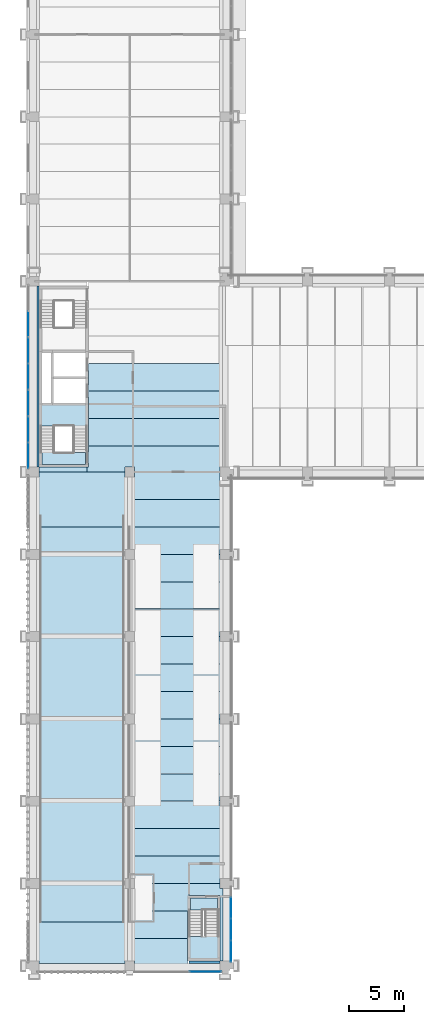
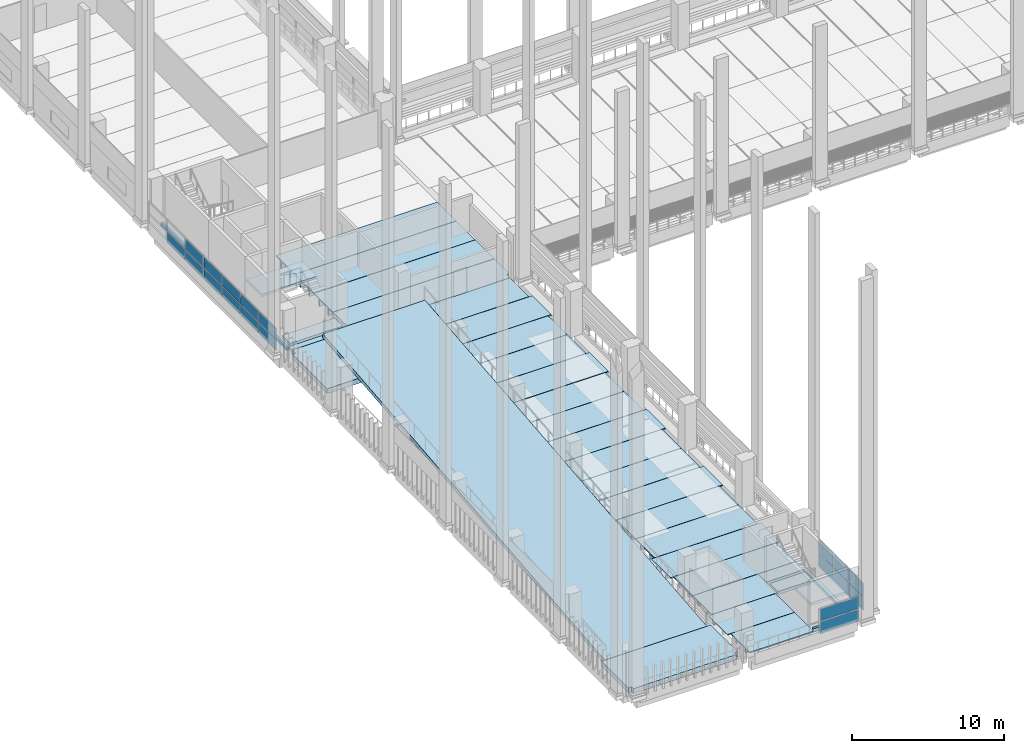
# One storey, part 27 of 67: 33 slabs, 19 plates, 5 elements without a shape of their own.
"""IFC4 building model written with IfcOpenShell, lengths in metres."""

from ifc_helpers import new_model, si_unit, direction, frame, origin, origin_2d, place, context, subcontext, project, spatial, polyline, rectangle, outline, extrude, material, layer, layer_set, material_profile, profile_set, type_object, element, aggregate, save


model = new_model("IFC4")

# Units and contexts
model_context = context("Model", 3, precision=1e-05, world=origin(), true_north=direction((0.0, 1.0)))
body_context = subcontext(model_context, "Body", "Model", "MODEL_VIEW")
ifc_project = project(units=[si_unit("LENGTHUNIT", "METRE"), si_unit("AREAUNIT", "SQUARE_METRE"), si_unit("VOLUMEUNIT", "CUBIC_METRE"), si_unit("PLANEANGLEUNIT", "RADIAN"), si_unit("MASSUNIT", "GRAM", prefix="KILO")], contexts=[model_context])

# Site, building, storey
site_placement = place(None, origin())
site = spatial("IfcSite", under=ifc_project, at=site_placement, CompositionType="ELEMENT")
building_placement = place(site_placement, origin())
building = spatial("IfcBuilding", under=site, at=building_placement, Name="Cour d'Honneur Mobility Palace", CompositionType="ELEMENT")
storey_placement = place(building_placement, frame((0.0, 0.0, 4.5)))
storey = spatial("IfcBuildingStorey", under=building, at=storey_placement, Name="L01", CompositionType="ELEMENT", Elevation=4.5)

# Slabs
ifc_material_1 = material(Name="Concrete C50", Category="concrete")
ifc_layer_1 = layer(ifc_material_1, 0.25)
ifc_layer_set_1 = layer_set([ifc_layer_1], Name="Concrete C50")
slab_type_1 = type_object("IfcSlabType", Name="Cast-in-place Slab 250", PredefinedType="FLOOR", material=ifc_layer_set_1)
slab_1_placement = place(storey_placement, frame((0.0, 0.0, -0.25)))
element("IfcSlab", 1, at=slab_1_placement, inside=storey, type_object=slab_type_1, Name="Cast-in-place slab S1 L01 core", PredefinedType="FLOOR", context=body_context, shape_type="SweptSolid", body=[
    extrude(outline(polyline([(0.449951171875, 45.449951171875), (4.800048828125, 45.449951171875), (4.800048828125, 45.0), (0.449951171875, 45.0), (0.449951171875, 45.449951171875)])), origin(), (0.0, 0.0, 1.0), 0.25),
])
slab_2_placement = place(storey_placement, frame((0.0, 0.0, -0.25)))
element("IfcSlab", 2, at=slab_2_placement, inside=storey, type_object=slab_type_1, Name="Cast-in-place slab S1 L01 core", PredefinedType="FLOOR", context=body_context, shape_type="SweptSolid", body=[
    extrude(outline(polyline([(0.449951171875, 61.949951171875), (0.449951171875, 45.449951171875), (0.25, 45.449951171875), (0.25, 61.949951171875), (0.449951171875, 61.949951171875)])), origin(), (0.0, 0.0, 1.0), 0.25),
])
slab_3_placement = place(storey_placement, frame((0.0, 0.0, -0.25)))
element("IfcSlab", 3, at=slab_3_placement, inside=storey, type_object=slab_type_1, Name="Cast-in-place slab S1 L01 core", PredefinedType="FLOOR", context=body_context, shape_type="SweptSolid", body=[
    extrude(outline(polyline([(0.699951171875, 45.699951171875), (0.699951171875, 46.77490234375), (4.675048828125, 46.77490234375), (4.675048828125, 45.699951171875), (0.699951171875, 45.699951171875)])), origin(), (0.0, 0.0, 1.0), 0.25),
])
slab_4_placement = place(storey_placement, frame((0.0, 0.0, -0.25)))
element("IfcSlab", 4, at=slab_4_placement, inside=storey, type_object=slab_type_1, Name="Cast-in-place slab S1 L01 stair strip", PredefinedType="FLOOR", context=body_context, shape_type="SweptSolid", body=[
    extrude(outline(polyline([(16.949951171875, 7.050048828125), (17.199951171875, 7.050048828125), (17.199951171875, 0.449951171875), (16.949951171875, 0.449951171875), (16.949951171875, 6.425048828125), (14.10009765625, 6.425048828125), (14.10009765625, 7.5), (16.949951171875, 7.5), (16.949951171875, 7.050048828125)])), origin(), (0.0, 0.0, 1.0), 0.25),
])
slab_5_placement = place(storey_placement, frame((0.0, 0.0, -0.25)))
element("IfcSlab", 5, at=slab_5_placement, inside=storey, type_object=slab_type_1, Name="Cast-in-place slab S1 L01 stair strip", PredefinedType="FLOOR", context=body_context, shape_type="SweptSolid", body=[
    extrude(outline(polyline([(16.949951171875, 0.22509765625), (14.10009765625, 0.22509765625), (14.10009765625, 0.449951171875), (16.949951171875, 0.449951171875), (16.949951171875, 0.22509765625)])), origin(), (0.0, 0.0, 1.0), 0.25),
])
slab_6_placement = place(storey_placement, frame((0.0, 0.0, -0.25)))
element("IfcSlab", 6, at=slab_6_placement, inside=storey, type_object=slab_type_1, Name="Cast-in-place slab S1 L01 stair strip", PredefinedType="FLOOR", context=body_context, shape_type="SweptSolid", body=[
    extrude(outline(polyline([(14.22509765625, 5.10009765625), (14.22509765625, 6.175048828125), (16.699951171875, 6.175048828125), (16.699951171875, 5.10009765625), (14.22509765625, 5.10009765625)])), origin(), (0.0, 0.0, 1.0), 0.25),
])
ifc_material_2 = material(Name="Concrete C50", Category="concrete")
ifc_layer_2 = layer(ifc_material_2, 0.39990234375)
ifc_layer_set_2 = layer_set([ifc_layer_2], Name="Concrete C50")
slab_type_2 = type_object("IfcSlabType", Name="Cast-in-place Slab 400", PredefinedType="LANDING", material=ifc_layer_set_2)
slab_7_placement = place(storey_placement, frame((0.0, 0.0, -0.39990234375)))
element("IfcSlab", 7, at=slab_7_placement, inside=storey, type_object=slab_type_2, Name="Cast-in-place slab S3 L01 landing", PredefinedType="LANDING", context=body_context, shape_type="SweptSolid", body=[
    extrude(outline(polyline([(8.25, 0.449951171875), (8.25, 0.22509765625), (0.449951171875, 0.22509765625), (0.449951171875, 0.449951171875), (0.199951171875, 0.449951171875), (0.199951171875, 4.0), (8.5, 4.0), (8.5, 0.449951171875), (8.25, 0.449951171875)])), origin(), (0.0, 0.0, 1.0), 0.39990234375),
])
slab_8_placement = place(storey_placement, frame((0.0, 0.0, -0.39990234375)))
element("IfcSlab", 8, at=slab_8_placement, inside=storey, type_object=slab_type_2, Name="Cast-in-place slab S3 L01 landing", PredefinedType="LANDING", context=body_context, shape_type="SweptSolid", body=[
    extrude(outline(polyline([(8.5, 44.550048828125), (8.5, 40.0), (0.199951171875, 40.0), (0.199951171875, 44.550048828125), (0.449951171875, 44.550048828125), (0.449951171875, 45.0), (8.25, 45.0), (8.25, 44.550048828125), (8.5, 44.550048828125)])), origin(), (0.0, 0.0, 1.0), 0.39990234375),
])
ifc_material_3 = material(Name="Concrete C50", Category="concrete")
ifc_layer_3 = layer(ifc_material_3, 0.800048828125)
ifc_layer_set_3 = layer_set([ifc_layer_3], Name="Concrete C50")
slab_type_3 = type_object("IfcSlabType", Name="Cast-in-place Slab 800", PredefinedType="FLOOR", material=ifc_layer_set_3)
slab_9_placement = place(storey_placement, frame((0.0, 0.0, -0.800048828125)))
element("IfcSlab", 9, at=slab_9_placement, inside=storey, type_object=slab_type_3, Name="Cast-in-place slab S2 L01 closure", PredefinedType="FLOOR", context=body_context, shape_type="SweptSolid", body=[
    extrude(outline(polyline([(16.949951171875, 45.449951171875), (16.949951171875, 45.0), (9.14990234375, 45.0), (9.14990234375, 45.449951171875), (8.25, 45.449951171875), (8.25, 45.0), (4.800048828125, 45.0), (4.800048828125, 45.449951171875), (4.925048828125, 45.449951171875), (4.925048828125, 47.39990234375), (17.14990234375, 47.39990234375), (17.14990234375, 45.449951171875), (16.949951171875, 45.449951171875)])), origin(), (0.0, 0.0, 1.0), 0.800048828125),
])

# Curtain wall, plates
ifc_material_4 = material(Name="Aluminium and glass", Category="aluminium")
ifc_layer_4 = layer(ifc_material_4, 0.10009765625)
ifc_layer_set_4 = layer_set([ifc_layer_4], Name="Aluminium and glass")
curtain_wall_type = type_object("IfcCurtainWallType", Name="Curtain wall run", PredefinedType="NOTDEFINED", material=ifc_layer_set_4)
curtain_wall_1_placement = place(storey_placement, origin())
curtain_wall_1 = element("IfcCurtainWall", 10, at=curtain_wall_1_placement, inside=storey, type_object=curtain_wall_type, Name="Curtain wall CW-100", PredefinedType="NOTDEFINED")
ifc_material_5 = material(Name="Double glazing", Category="glass")
ifc_layer_5 = layer(ifc_material_5, 0.028076171875)
ifc_layer_set_5 = layer_set([ifc_layer_5], Name="Double glazing")
plate_type = type_object("IfcPlateType", Name="Curtain wall panel", PredefinedType="CURTAIN_PANEL", material=ifc_layer_set_5)
plate_1_placement = place(storey_placement, frame((-0.550048828125, 58.5, 0.06005859375), z_axis=(0.0, 0.0, 1.0), x_axis=(0.0, -1.0, 0.0)))
plate_1 = element("IfcPlate", 11, at=plate_1_placement, type_object=plate_type, Name="CW-100 panel 2.1", PredefinedType="CURTAIN_PANEL", context=body_context, shape_type="SweptSolid", body=[
    extrude(rectangle(XDim=2.340087890625, YDim=0.028076171875, at=origin_2d()), origin(), (0.0, 0.0, 1.0), 0.860107421875),
])
plate_2_placement = place(storey_placement, frame((-0.550048828125, 56.10009765625, 0.06005859375), z_axis=(0.0, 0.0, 1.0), x_axis=(0.0, -1.0, 0.0)))
plate_2 = element("IfcPlate", 12, at=plate_2_placement, type_object=plate_type, Name="CW-100 panel 3.1", PredefinedType="CURTAIN_PANEL", context=body_context, shape_type="SweptSolid", body=[
    extrude(rectangle(XDim=2.340087890625, YDim=0.028076171875, at=origin_2d()), origin(), (0.0, 0.0, 1.0), 0.860107421875),
])
plate_3_placement = place(storey_placement, frame((-0.550048828125, 56.10009765625, 0.97998046875), z_axis=(0.0, 0.0, 1.0), x_axis=(0.0, -1.0, 0.0)))
plate_3 = element("IfcPlate", 13, at=plate_3_placement, type_object=plate_type, Name="CW-100 panel 3.2", PredefinedType="CURTAIN_PANEL", context=body_context, shape_type="SweptSolid", body=[
    extrude(rectangle(XDim=2.340087890625, YDim=0.028076171875, at=origin_2d()), origin(), (0.0, 0.0, 1.0), 0.860107421875),
])
plate_4_placement = place(storey_placement, frame((-0.550048828125, 53.699951171875, 0.06005859375), z_axis=(0.0, 0.0, 1.0), x_axis=(0.0, -1.0, 0.0)))
plate_4 = element("IfcPlate", 14, at=plate_4_placement, type_object=plate_type, Name="CW-100 panel 4.1", PredefinedType="CURTAIN_PANEL", context=body_context, shape_type="SweptSolid", body=[
    extrude(rectangle(XDim=2.340087890625, YDim=0.028076171875, at=origin_2d()), origin(), (0.0, 0.0, 1.0), 0.860107421875),
])
plate_5_placement = place(storey_placement, frame((-0.550048828125, 53.699951171875, 0.97998046875), z_axis=(0.0, 0.0, 1.0), x_axis=(0.0, -1.0, 0.0)))
plate_5 = element("IfcPlate", 15, at=plate_5_placement, type_object=plate_type, Name="CW-100 panel 4.2", PredefinedType="CURTAIN_PANEL", context=body_context, shape_type="SweptSolid", body=[
    extrude(rectangle(XDim=2.340087890625, YDim=0.028076171875, at=origin_2d()), origin(), (0.0, 0.0, 1.0), 0.860107421875),
])
plate_6_placement = place(storey_placement, frame((-0.550048828125, 51.300048828125, 0.06005859375), z_axis=(0.0, 0.0, 1.0), x_axis=(0.0, -1.0, 0.0)))
plate_6 = element("IfcPlate", 16, at=plate_6_placement, type_object=plate_type, Name="CW-100 panel 5.1", PredefinedType="CURTAIN_PANEL", context=body_context, shape_type="SweptSolid", body=[
    extrude(rectangle(XDim=2.340087890625, YDim=0.028076171875, at=origin_2d()), origin(), (0.0, 0.0, 1.0), 0.860107421875),
])
plate_7_placement = place(storey_placement, frame((-0.550048828125, 51.300048828125, 0.97998046875), z_axis=(0.0, 0.0, 1.0), x_axis=(0.0, -1.0, 0.0)))
plate_7 = element("IfcPlate", 17, at=plate_7_placement, type_object=plate_type, Name="CW-100 panel 5.2", PredefinedType="CURTAIN_PANEL", context=body_context, shape_type="SweptSolid", body=[
    extrude(rectangle(XDim=2.340087890625, YDim=0.028076171875, at=origin_2d()), origin(), (0.0, 0.0, 1.0), 0.860107421875),
])
plate_8_placement = place(storey_placement, frame((-0.550048828125, 48.89990234375, 0.06005859375), z_axis=(0.0, 0.0, 1.0), x_axis=(0.0, -1.0, 0.0)))
plate_8 = element("IfcPlate", 18, at=plate_8_placement, type_object=plate_type, Name="CW-100 panel 6.1", PredefinedType="CURTAIN_PANEL", context=body_context, shape_type="SweptSolid", body=[
    extrude(rectangle(XDim=2.340087890625, YDim=0.028076171875, at=origin_2d()), origin(), (0.0, 0.0, 1.0), 0.860107421875),
])
plate_9_placement = place(storey_placement, frame((-0.550048828125, 48.89990234375, 0.97998046875), z_axis=(0.0, 0.0, 1.0), x_axis=(0.0, -1.0, 0.0)))
plate_9 = element("IfcPlate", 19, at=plate_9_placement, type_object=plate_type, Name="CW-100 panel 6.2", PredefinedType="CURTAIN_PANEL", context=body_context, shape_type="SweptSolid", body=[
    extrude(rectangle(XDim=2.340087890625, YDim=0.028076171875, at=origin_2d()), origin(), (0.0, 0.0, 1.0), 0.860107421875),
])
plate_10_placement = place(storey_placement, frame((-0.550048828125, 46.514892578125, 0.06005859375), z_axis=(0.0, 0.0, 1.0), x_axis=(0.0, -1.0, 0.0)))
plate_10 = element("IfcPlate", 20, at=plate_10_placement, type_object=plate_type, Name="CW-100 panel 7.1", PredefinedType="CURTAIN_PANEL", context=body_context, shape_type="SweptSolid", body=[
    extrude(rectangle(XDim=2.31005859375, YDim=0.028076171875, at=origin_2d()), origin(), (0.0, 0.0, 1.0), 0.860107421875),
])
plate_11_placement = place(storey_placement, frame((-0.550048828125, 46.514892578125, 0.97998046875), z_axis=(0.0, 0.0, 1.0), x_axis=(0.0, -1.0, 0.0)))
plate_11 = element("IfcPlate", 21, at=plate_11_placement, type_object=plate_type, Name="CW-100 panel 7.2", PredefinedType="CURTAIN_PANEL", context=body_context, shape_type="SweptSolid", body=[
    extrude(rectangle(XDim=2.31005859375, YDim=0.028076171875, at=origin_2d()), origin(), (0.0, 0.0, 1.0), 0.860107421875),
])
aggregate(curtain_wall_1, [plate_1, plate_2, plate_3, plate_4, plate_5, plate_6, plate_7, plate_8, plate_9, plate_10, plate_11])

curtain_wall_2_placement = place(storey_placement, origin())
curtain_wall_2 = element("IfcCurtainWall", 22, at=curtain_wall_2_placement, inside=storey, type_object=curtain_wall_type, Name="Curtain wall CW-153", PredefinedType="NOTDEFINED")
plate_12_placement = place(storey_placement, frame((15.60009765625, -0.550048828125, 0.06005859375), z_axis=(0.0, 0.0, 1.0), x_axis=(1.0, 0.0, 0.0)))
plate_12 = element("IfcPlate", 23, at=plate_12_placement, type_object=plate_type, Name="CW-153 panel 1.1", PredefinedType="CURTAIN_PANEL", context=body_context, shape_type="SweptSolid", body=[
    extrude(rectangle(XDim=2.8798828125, YDim=0.028076171875, at=origin_2d()), origin(), (0.0, 0.0, 1.0), 0.9599609375),
])
plate_13_placement = place(storey_placement, frame((15.60009765625, -0.550048828125, 1.080078125), z_axis=(0.0, 0.0, 1.0), x_axis=(1.0, 0.0, 0.0)))
plate_13 = element("IfcPlate", 24, at=plate_13_placement, type_object=plate_type, Name="CW-153 panel 1.2", PredefinedType="CURTAIN_PANEL", context=body_context, shape_type="SweptSolid", body=[
    extrude(rectangle(XDim=2.8798828125, YDim=0.028076171875, at=origin_2d()), origin(), (0.0, 0.0, 1.0), 0.9599609375),
])
aggregate(curtain_wall_2, [plate_12, plate_13])

curtain_wall_3_placement = place(storey_placement, origin())
curtain_wall_3 = element("IfcCurtainWall", 25, at=curtain_wall_3_placement, inside=storey, type_object=curtain_wall_type, Name="Curtain wall CW-154", PredefinedType="NOTDEFINED")
plate_14_placement = place(storey_placement, frame((17.949951171875, 1.31494140625, 0.06005859375), z_axis=(0.0, 0.0, 1.0), x_axis=(0.0, 1.0, 0.0)))
plate_14 = element("IfcPlate", 26, at=plate_14_placement, type_object=plate_type, Name="CW-154 panel 1.1", PredefinedType="CURTAIN_PANEL", context=body_context, shape_type="SweptSolid", body=[
    extrude(rectangle(XDim=1.909912109375, YDim=0.028076171875, at=origin_2d()), origin(), (0.0, 0.0, 1.0), 1.06005859375),
])
plate_15_placement = place(storey_placement, frame((17.949951171875, 1.31494140625, 1.179931640625), z_axis=(0.0, 0.0, 1.0), x_axis=(0.0, 1.0, 0.0)))
plate_15 = element("IfcPlate", 27, at=plate_15_placement, type_object=plate_type, Name="CW-154 panel 1.2", PredefinedType="CURTAIN_PANEL", context=body_context, shape_type="SweptSolid", body=[
    extrude(rectangle(XDim=1.909912109375, YDim=0.028076171875, at=origin_2d()), origin(), (0.0, 0.0, 1.0), 1.06005859375),
])
plate_16_placement = place(storey_placement, frame((17.949951171875, 3.300048828125, 0.06005859375), z_axis=(0.0, 0.0, 1.0), x_axis=(0.0, 1.0, 0.0)))
plate_16 = element("IfcPlate", 28, at=plate_16_placement, type_object=plate_type, Name="CW-154 panel 2.1", PredefinedType="CURTAIN_PANEL", context=body_context, shape_type="SweptSolid", body=[
    extrude(rectangle(XDim=1.93994140625, YDim=0.028076171875, at=origin_2d()), origin(), (0.0, 0.0, 1.0), 1.06005859375),
])
plate_17_placement = place(storey_placement, frame((17.949951171875, 3.300048828125, 1.179931640625), z_axis=(0.0, 0.0, 1.0), x_axis=(0.0, 1.0, 0.0)))
plate_17 = element("IfcPlate", 29, at=plate_17_placement, type_object=plate_type, Name="CW-154 panel 2.2", PredefinedType="CURTAIN_PANEL", context=body_context, shape_type="SweptSolid", body=[
    extrude(rectangle(XDim=1.93994140625, YDim=0.028076171875, at=origin_2d()), origin(), (0.0, 0.0, 1.0), 1.06005859375),
])
plate_18_placement = place(storey_placement, frame((17.949951171875, 5.284912109375, 0.06005859375), z_axis=(0.0, 0.0, 1.0), x_axis=(0.0, 1.0, 0.0)))
plate_18 = element("IfcPlate", 30, at=plate_18_placement, type_object=plate_type, Name="CW-154 panel 3.1", PredefinedType="CURTAIN_PANEL", context=body_context, shape_type="SweptSolid", body=[
    extrude(rectangle(XDim=1.909912109375, YDim=0.028076171875, at=origin_2d()), origin(), (0.0, 0.0, 1.0), 1.06005859375),
])
plate_19_placement = place(storey_placement, frame((17.949951171875, 5.284912109375, 1.179931640625), z_axis=(0.0, 0.0, 1.0), x_axis=(0.0, 1.0, 0.0)))
plate_19 = element("IfcPlate", 31, at=plate_19_placement, type_object=plate_type, Name="CW-154 panel 3.2", PredefinedType="CURTAIN_PANEL", context=body_context, shape_type="SweptSolid", body=[
    extrude(rectangle(XDim=1.909912109375, YDim=0.028076171875, at=origin_2d()), origin(), (0.0, 0.0, 1.0), 1.06005859375),
])
aggregate(curtain_wall_3, [plate_14, plate_15, plate_16, plate_17, plate_18, plate_19])

# Slabs
ifc_material_6 = material(Name="Concrete C45", Category="concrete")
ifc_material_profile_1 = material_profile(ifc_material_6, outline(polyline([(-1.2451171875, 0.0), (1.2451171875, 0.0), (1.2451171875, -0.074951171875), (0.659912109375, -0.074951171875), (0.639892578125, -0.39990234375), (0.56005859375, -0.39990234375), (0.5400390625, -0.074951171875), (-0.5400390625, -0.074951171875), (-0.56005859375, -0.39990234375), (-0.639892578125, -0.39990234375), (-0.659912109375, -0.074951171875), (-1.2451171875, -0.074951171875), (-1.2451171875, 0.0)])), Name="DT 2490x400")
ifc_profile_set_1 = profile_set([ifc_material_profile_1], Name="Concrete C45")
slab_type_4 = type_object("IfcSlabType", Name="DT 2490x400", PredefinedType="FLOOR", material=ifc_profile_set_1)
slab_10_placement = place(storey_placement, frame((9.14990234375, 1.25, 0.0), z_axis=(1.0, 0.0, 0.0), x_axis=(0.0, 1.0, 0.0)))
element("IfcSlab", 32, at=slab_10_placement, inside=storey, type_object=slab_type_4, Name="Double tee DT-SW1 L01", PredefinedType="FLOOR", context=body_context, shape_type="SweptSolid", body=[
    extrude(outline(polyline([(-1.2451171875, 0.0), (1.2451171875, 0.0), (1.2451171875, -0.074951171875), (0.659912109375, -0.074951171875), (0.639892578125, -0.39990234375), (0.56005859375, -0.39990234375), (0.5400390625, -0.074951171875), (-0.5400390625, -0.074951171875), (-0.56005859375, -0.39990234375), (-0.639892578125, -0.39990234375), (-0.659912109375, -0.074951171875), (-1.2451171875, -0.074951171875), (-1.2451171875, 0.0)])), origin(), (0.0, 0.0, 1.0), 4.8251953125),
])
slab_11_placement = place(storey_placement, frame((8.89990234375, 3.75, 0.0), z_axis=(1.0, 0.0, 0.0), x_axis=(0.0, 1.0, 0.0)))
element("IfcSlab", 33, at=slab_11_placement, inside=storey, type_object=slab_type_4, Name="Double tee DT-SW2 L01", PredefinedType="FLOOR", context=body_context, shape_type="SweptSolid", body=[
    extrude(outline(polyline([(-1.2451171875, 0.0), (1.2451171875, 0.0), (1.2451171875, -0.074951171875), (0.659912109375, -0.074951171875), (0.639892578125, -0.39990234375), (0.56005859375, -0.39990234375), (0.5400390625, -0.074951171875), (-0.5400390625, -0.074951171875), (-0.56005859375, -0.39990234375), (-0.639892578125, -0.39990234375), (-0.659912109375, -0.074951171875), (-1.2451171875, -0.074951171875), (-1.2451171875, 0.0)])), origin(), (0.0, 0.0, 1.0), 5.0751953125),
])
slab_12_placement = place(storey_placement, frame((9.14990234375, 6.25, 0.0), z_axis=(1.0, 0.0, 0.0), x_axis=(0.0, 1.0, 0.0)))
element("IfcSlab", 34, at=slab_12_placement, inside=storey, type_object=slab_type_4, Name="Double tee DT-SW3 L01", PredefinedType="FLOOR", context=body_context, shape_type="SweptSolid", body=[
    extrude(outline(polyline([(-1.2451171875, 0.0), (1.2451171875, 0.0), (1.2451171875, -0.074951171875), (0.659912109375, -0.074951171875), (0.639892578125, -0.39990234375), (0.56005859375, -0.39990234375), (0.5400390625, -0.074951171875), (-0.5400390625, -0.074951171875), (-0.56005859375, -0.39990234375), (-0.639892578125, -0.39990234375), (-0.659912109375, -0.074951171875), (-1.2451171875, -0.074951171875), (-1.2451171875, 0.0)])), origin(), (0.0, 0.0, 1.0), 4.9501953125),
])
ifc_material_7 = material(Name="Concrete C45", Category="concrete")
ifc_material_profile_2 = material_profile(ifc_material_7, outline(polyline([(-1.2451171875, 0.0), (1.2451171875, 0.0), (1.2451171875, -0.10009765625), (0.669921875, -0.10009765625), (0.64501953125, -0.5), (0.554931640625, -0.5), (0.530029296875, -0.10009765625), (-0.530029296875, -0.10009765625), (-0.554931640625, -0.5), (-0.64501953125, -0.5), (-0.669921875, -0.10009765625), (-1.2451171875, -0.10009765625), (-1.2451171875, 0.0)])), Name="DT 2490x500")
ifc_profile_set_2 = profile_set([ifc_material_profile_2], Name="Concrete C45")
slab_type_5 = type_object("IfcSlabType", Name="DT 2490x500", PredefinedType="FLOOR", material=ifc_profile_set_2)
slab_13_placement = place(storey_placement, frame((9.14990234375, 8.75, 0.0), z_axis=(1.0, 0.0, 0.0), x_axis=(0.0, 1.0, 0.0)))
element("IfcSlab", 35, at=slab_13_placement, inside=storey, type_object=slab_type_5, Name="Double tee DT-SW4 L01", PredefinedType="FLOOR", context=body_context, shape_type="SweptSolid", body=[
    extrude(outline(polyline([(-1.2451171875, 0.0), (1.2451171875, 0.0), (1.2451171875, -0.10009765625), (0.669921875, -0.10009765625), (0.64501953125, -0.5), (0.554931640625, -0.5), (0.530029296875, -0.10009765625), (-0.530029296875, -0.10009765625), (-0.554931640625, -0.5), (-0.64501953125, -0.5), (-0.669921875, -0.10009765625), (-1.2451171875, -0.10009765625), (-1.2451171875, 0.0)])), origin(), (0.0, 0.0, 1.0), 7.800048828125),
])
slab_14_placement = place(storey_placement, frame((8.89990234375, 11.25, 0.0), z_axis=(1.0, 0.0, 0.0), x_axis=(0.0, 1.0, 0.0)))
element("IfcSlab", 36, at=slab_14_placement, inside=storey, type_object=slab_type_5, Name="Double tee DT-SW5 L01", PredefinedType="FLOOR", context=body_context, shape_type="SweptSolid", body=[
    extrude(outline(polyline([(-1.2451171875, 0.0), (1.2451171875, 0.0), (1.2451171875, -0.10009765625), (0.669921875, -0.10009765625), (0.64501953125, -0.5), (0.554931640625, -0.5), (0.530029296875, -0.10009765625), (-0.530029296875, -0.10009765625), (-0.554931640625, -0.5), (-0.64501953125, -0.5), (-0.669921875, -0.10009765625), (-1.2451171875, -0.10009765625), (-1.2451171875, 0.0)])), origin(), (0.0, 0.0, 1.0), 8.300048828125),
])
for number, where, z_axis, x_axis, name in (
    (37, (9.14990234375, 13.75, 0.0), (1.0, 0.0, 0.0), (0.0, 1.0, 0.0), "Double tee DT-SW6 L01"),
    (38, (9.14990234375, 16.25, 0.0), (1.0, 0.0, 0.0), (0.0, 1.0, 0.0), "Double tee DT-SW7 L01"),
):
    element("IfcSlab", number, at=place(storey_placement, frame(where, z_axis=z_axis, x_axis=x_axis)), inside=storey, type_object=slab_type_5, Name=name, PredefinedType="FLOOR", context=body_context, shape_type="SweptSolid", body=[
        extrude(outline(polyline([(-1.2451171875, 0.0), (1.2451171875, 0.0), (1.2451171875, -0.10009765625), (0.669921875, -0.10009765625), (0.64501953125, -0.5), (0.554931640625, -0.5), (0.530029296875, -0.10009765625), (-0.530029296875, -0.10009765625), (-0.554931640625, -0.5), (-0.64501953125, -0.5), (-0.669921875, -0.10009765625), (-1.2451171875, -0.10009765625), (-1.2451171875, 0.0)])), origin(), (0.0, 0.0, 1.0), 7.800048828125),
    ])
slab_15_placement = place(storey_placement, frame((8.89990234375, 18.75, 0.0), z_axis=(1.0, 0.0, 0.0), x_axis=(0.0, 1.0, 0.0)))
element("IfcSlab", 39, at=slab_15_placement, inside=storey, type_object=slab_type_5, Name="Double tee DT-SW8 L01", PredefinedType="FLOOR", context=body_context, shape_type="SweptSolid", body=[
    extrude(outline(polyline([(-1.2451171875, 0.0), (1.2451171875, 0.0), (1.2451171875, -0.10009765625), (0.669921875, -0.10009765625), (0.64501953125, -0.5), (0.554931640625, -0.5), (0.530029296875, -0.10009765625), (-0.530029296875, -0.10009765625), (-0.554931640625, -0.5), (-0.64501953125, -0.5), (-0.669921875, -0.10009765625), (-1.2451171875, -0.10009765625), (-1.2451171875, 0.0)])), origin(), (0.0, 0.0, 1.0), 8.300048828125),
])
for number, where, z_axis, x_axis, name in (
    (40, (9.14990234375, 21.25, 0.0), (1.0, 0.0, 0.0), (0.0, 1.0, 0.0), "Double tee DT-SW9 L01"),
    (41, (9.14990234375, 23.75, 0.0), (1.0, 0.0, 0.0), (0.0, 1.0, 0.0), "Double tee DT-SW10 L01"),
):
    element("IfcSlab", number, at=place(storey_placement, frame(where, z_axis=z_axis, x_axis=x_axis)), inside=storey, type_object=slab_type_5, Name=name, PredefinedType="FLOOR", context=body_context, shape_type="SweptSolid", body=[
        extrude(outline(polyline([(-1.2451171875, 0.0), (1.2451171875, 0.0), (1.2451171875, -0.10009765625), (0.669921875, -0.10009765625), (0.64501953125, -0.5), (0.554931640625, -0.5), (0.530029296875, -0.10009765625), (-0.530029296875, -0.10009765625), (-0.554931640625, -0.5), (-0.64501953125, -0.5), (-0.669921875, -0.10009765625), (-1.2451171875, -0.10009765625), (-1.2451171875, 0.0)])), origin(), (0.0, 0.0, 1.0), 7.800048828125),
    ])
slab_16_placement = place(storey_placement, frame((8.89990234375, 26.25, 0.0), z_axis=(1.0, 0.0, 0.0), x_axis=(0.0, 1.0, 0.0)))
element("IfcSlab", 42, at=slab_16_placement, inside=storey, type_object=slab_type_5, Name="Double tee DT-SW11 L01", PredefinedType="FLOOR", context=body_context, shape_type="SweptSolid", body=[
    extrude(outline(polyline([(-1.2451171875, 0.0), (1.2451171875, 0.0), (1.2451171875, -0.10009765625), (0.669921875, -0.10009765625), (0.64501953125, -0.5), (0.554931640625, -0.5), (0.530029296875, -0.10009765625), (-0.530029296875, -0.10009765625), (-0.554931640625, -0.5), (-0.64501953125, -0.5), (-0.669921875, -0.10009765625), (-1.2451171875, -0.10009765625), (-1.2451171875, 0.0)])), origin(), (0.0, 0.0, 1.0), 8.300048828125),
])
for number, where, z_axis, x_axis, name in (
    (43, (9.14990234375, 28.75, 0.0), (1.0, 0.0, 0.0), (0.0, 1.0, 0.0), "Double tee DT-SW12 L01"),
    (44, (9.14990234375, 31.25, 0.0), (1.0, 0.0, 0.0), (0.0, 1.0, 0.0), "Double tee DT-SW13 L01"),
):
    element("IfcSlab", number, at=place(storey_placement, frame(where, z_axis=z_axis, x_axis=x_axis)), inside=storey, type_object=slab_type_5, Name=name, PredefinedType="FLOOR", context=body_context, shape_type="SweptSolid", body=[
        extrude(outline(polyline([(-1.2451171875, 0.0), (1.2451171875, 0.0), (1.2451171875, -0.10009765625), (0.669921875, -0.10009765625), (0.64501953125, -0.5), (0.554931640625, -0.5), (0.530029296875, -0.10009765625), (-0.530029296875, -0.10009765625), (-0.554931640625, -0.5), (-0.64501953125, -0.5), (-0.669921875, -0.10009765625), (-1.2451171875, -0.10009765625), (-1.2451171875, 0.0)])), origin(), (0.0, 0.0, 1.0), 7.800048828125),
    ])
slab_17_placement = place(storey_placement, frame((8.89990234375, 33.75, 0.0), z_axis=(1.0, 0.0, 0.0), x_axis=(0.0, 1.0, 0.0)))
element("IfcSlab", 45, at=slab_17_placement, inside=storey, type_object=slab_type_5, Name="Double tee DT-SW14 L01", PredefinedType="FLOOR", context=body_context, shape_type="SweptSolid", body=[
    extrude(outline(polyline([(-1.2451171875, 0.0), (1.2451171875, 0.0), (1.2451171875, -0.10009765625), (0.669921875, -0.10009765625), (0.64501953125, -0.5), (0.554931640625, -0.5), (0.530029296875, -0.10009765625), (-0.530029296875, -0.10009765625), (-0.554931640625, -0.5), (-0.64501953125, -0.5), (-0.669921875, -0.10009765625), (-1.2451171875, -0.10009765625), (-1.2451171875, 0.0)])), origin(), (0.0, 0.0, 1.0), 8.300048828125),
])
for number, where, z_axis, x_axis, name in (
    (46, (9.14990234375, 36.25, 0.0), (1.0, 0.0, 0.0), (0.0, 1.0, 0.0), "Double tee DT-SW15 L01"),
    (47, (9.14990234375, 38.75, 0.0), (1.0, 0.0, 0.0), (0.0, 1.0, 0.0), "Double tee DT-SW16 L01"),
):
    element("IfcSlab", number, at=place(storey_placement, frame(where, z_axis=z_axis, x_axis=x_axis)), inside=storey, type_object=slab_type_5, Name=name, PredefinedType="FLOOR", context=body_context, shape_type="SweptSolid", body=[
        extrude(outline(polyline([(-1.2451171875, 0.0), (1.2451171875, 0.0), (1.2451171875, -0.10009765625), (0.669921875, -0.10009765625), (0.64501953125, -0.5), (0.554931640625, -0.5), (0.530029296875, -0.10009765625), (-0.530029296875, -0.10009765625), (-0.554931640625, -0.5), (-0.64501953125, -0.5), (-0.669921875, -0.10009765625), (-1.2451171875, -0.10009765625), (-1.2451171875, 0.0)])), origin(), (0.0, 0.0, 1.0), 7.800048828125),
    ])
slab_18_placement = place(storey_placement, frame((8.89990234375, 41.25, 0.0), z_axis=(1.0, 0.0, 0.0), x_axis=(0.0, 1.0, 0.0)))
element("IfcSlab", 48, at=slab_18_placement, inside=storey, type_object=slab_type_5, Name="Double tee DT-SW17 L01", PredefinedType="FLOOR", context=body_context, shape_type="SweptSolid", body=[
    extrude(outline(polyline([(-1.2451171875, 0.0), (1.2451171875, 0.0), (1.2451171875, -0.10009765625), (0.669921875, -0.10009765625), (0.64501953125, -0.5), (0.554931640625, -0.5), (0.530029296875, -0.10009765625), (-0.530029296875, -0.10009765625), (-0.554931640625, -0.5), (-0.64501953125, -0.5), (-0.669921875, -0.10009765625), (-1.2451171875, -0.10009765625), (-1.2451171875, 0.0)])), origin(), (0.0, 0.0, 1.0), 8.300048828125),
])
slab_19_placement = place(storey_placement, frame((9.14990234375, 43.75, 0.0), z_axis=(1.0, 0.0, 0.0), x_axis=(0.0, 1.0, 0.0)))
element("IfcSlab", 49, at=slab_19_placement, inside=storey, type_object=slab_type_5, Name="Double tee DT-SW18 L01", PredefinedType="FLOOR", context=body_context, shape_type="SweptSolid", body=[
    extrude(outline(polyline([(-1.2451171875, 0.0), (1.2451171875, 0.0), (1.2451171875, -0.10009765625), (0.669921875, -0.10009765625), (0.64501953125, -0.5), (0.554931640625, -0.5), (0.530029296875, -0.10009765625), (-0.530029296875, -0.10009765625), (-0.554931640625, -0.5), (-0.64501953125, -0.5), (-0.669921875, -0.10009765625), (-1.2451171875, -0.10009765625), (-1.2451171875, 0.0)])), origin(), (0.0, 0.0, 1.0), 7.800048828125),
])
ifc_material_8 = material(Name="Concrete C45", Category="concrete")
ifc_material_profile_3 = material_profile(ifc_material_8, outline(polyline([(-1.2451171875, 0.0), (1.2451171875, 0.0), (1.2451171875, -0.10009765625), (0.679931640625, -0.10009765625), (0.64990234375, -0.64990234375), (0.550048828125, -0.64990234375), (0.52001953125, -0.10009765625), (-0.52001953125, -0.10009765625), (-0.550048828125, -0.64990234375), (-0.64990234375, -0.64990234375), (-0.679931640625, -0.10009765625), (-1.2451171875, -0.10009765625), (-1.2451171875, 0.0)])), Name="DT 2490x650")
ifc_profile_set_3 = profile_set([ifc_material_profile_3], Name="Concrete C45")
slab_type_6 = type_object("IfcSlabType", Name="DT 2490x650", PredefinedType="FLOOR", material=ifc_profile_set_3)
for number, where, z_axis, x_axis, name in (
    (50, (4.925048828125, 48.64990234375, 0.0), (1.0, 0.0, 0.0), (0.0, 1.0, 0.0), "Double tee DT-JW1 L01"),
    (51, (4.925048828125, 51.14990234375, 0.0), (1.0, 0.0, 0.0), (0.0, 1.0, 0.0), "Double tee DT-JW2 L01"),
    (52, (4.925048828125, 53.64990234375, 0.0), (1.0, 0.0, 0.0), (0.0, 1.0, 0.0), "Double tee DT-JW3 L01"),
):
    element("IfcSlab", number, at=place(storey_placement, frame(where, z_axis=z_axis, x_axis=x_axis)), inside=storey, type_object=slab_type_6, Name=name, PredefinedType="FLOOR", context=body_context, shape_type="SweptSolid", body=[
        extrude(outline(polyline([(-1.2451171875, 0.0), (1.2451171875, 0.0), (1.2451171875, -0.10009765625), (0.679931640625, -0.10009765625), (0.64990234375, -0.64990234375), (0.550048828125, -0.64990234375), (0.52001953125, -0.10009765625), (-0.52001953125, -0.10009765625), (-0.550048828125, -0.64990234375), (-0.64990234375, -0.64990234375), (-0.679931640625, -0.10009765625), (-1.2451171875, -0.10009765625), (-1.2451171875, 0.0)])), origin(), (0.0, 0.0, 1.0), 12.224853515625),
    ])

# Stair, slab
ifc_material_9 = material(Name="Concrete C50", Category="concrete")
stair_type = type_object("IfcStairType", Name="Stair 20 risers", PredefinedType="HALF_TURN_STAIR", material=ifc_material_9)
stair_1_placement = place(storey_placement, origin())
stair_1 = element("IfcStair", 53, at=stair_1_placement, inside=storey, type_object=stair_type, Name="Stair ST-CW1", PredefinedType="HALF_TURN_STAIR")
ifc_material_10 = material(Name="Concrete C50", Category="concrete")
ifc_layer_6 = layer(ifc_material_10, 0.199951171875)
ifc_layer_set_6 = layer_set([ifc_layer_6], Name="Concrete C50")
slab_type_7 = type_object("IfcSlabType", Name="Stair landing", PredefinedType="LANDING", material=ifc_layer_set_6)
slab_20_placement = place(storey_placement, frame((0.0, 0.0, 1.64990234375)))
slab_20 = element("IfcSlab", 54, at=slab_20_placement, type_object=slab_type_7, Name="ST-CW1 landing 1", PredefinedType="LANDING", context=body_context, shape_type="SweptSolid", body=[
    extrude(outline(polyline([(0.574951171875, 49.205078125), (4.800048828125, 49.205078125), (4.800048828125, 51.199951171875), (0.574951171875, 51.199951171875), (0.574951171875, 49.205078125)])), origin(), (0.0, 0.0, 1.0), 0.2001953125),
])
aggregate(stair_1, [slab_20])

stair_2_placement = place(storey_placement, origin())
stair_2 = element("IfcStair", 55, at=stair_2_placement, inside=storey, type_object=stair_type, Name="Stair ST-RW1", PredefinedType="HALF_TURN_STAIR")
slab_21_placement = place(storey_placement, frame((0.0, 0.0, 1.64990234375)))
slab_21 = element("IfcSlab", 56, at=slab_21_placement, type_object=slab_type_7, Name="ST-RW1 landing 1", PredefinedType="LANDING", context=body_context, shape_type="SweptSolid", body=[
    extrude(outline(polyline([(14.10009765625, 0.574951171875), (16.824951171875, 0.574951171875), (16.824951171875, 2.669921875), (14.10009765625, 2.669921875), (14.10009765625, 0.574951171875)])), origin(), (0.0, 0.0, 1.0), 0.2001953125),
])
aggregate(stair_2, [slab_21])

# Slab
ifc_material_11 = material(Name="Concrete C45", Category="concrete")
ifc_layer_7 = layer(ifc_material_11, 0.300048828125)
ifc_layer_set_7 = layer_set([ifc_layer_7], Name="Concrete C45")
slab_type_8 = type_object("IfcSlabType", Name="Vehicle ramp slab 300", PredefinedType="USERDEFINED", material=ifc_layer_set_7)
slab_22_placement = place(storey_placement, frame((0.449951171875, 4.0, 0.0), z_axis=(0.0, -0.099502418892, 0.995037320222), x_axis=(1.0, 0.0, 0.0)))
element("IfcSlab", 57, at=slab_22_placement, inside=storey, type_object=slab_type_8, Name="Vehicle ramp West 2 slab", ObjectType="VEHICLE RAMP SLAB", PredefinedType="USERDEFINED", context=body_context, shape_type="SweptSolid", body=[
    extrude(outline(polyline([(0.0, 0.0), (7.75, 0.0), (7.75, 37.184534939599004), (0.0, 37.184534939599004), (0.0, 0.0)])), origin(), (0.0, 0.0, -1.0), 0.300048828125),
])

save(model, "model.ifc")
